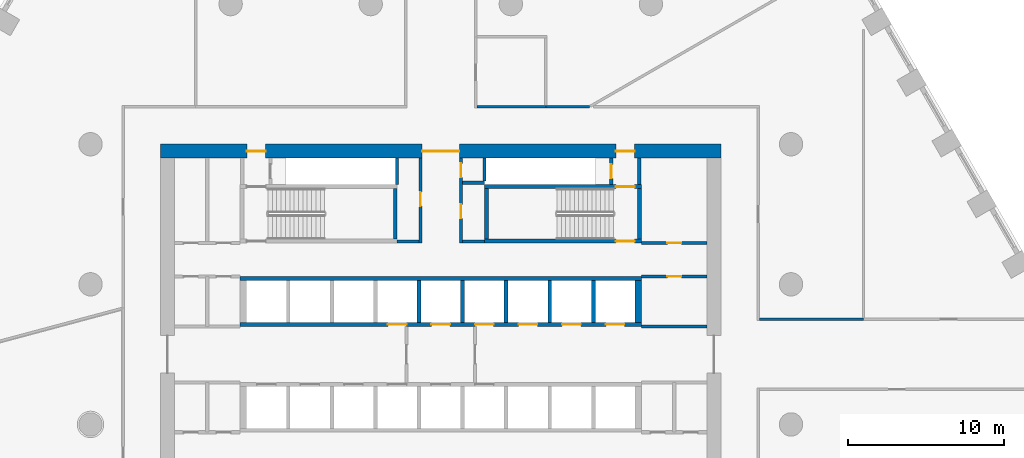
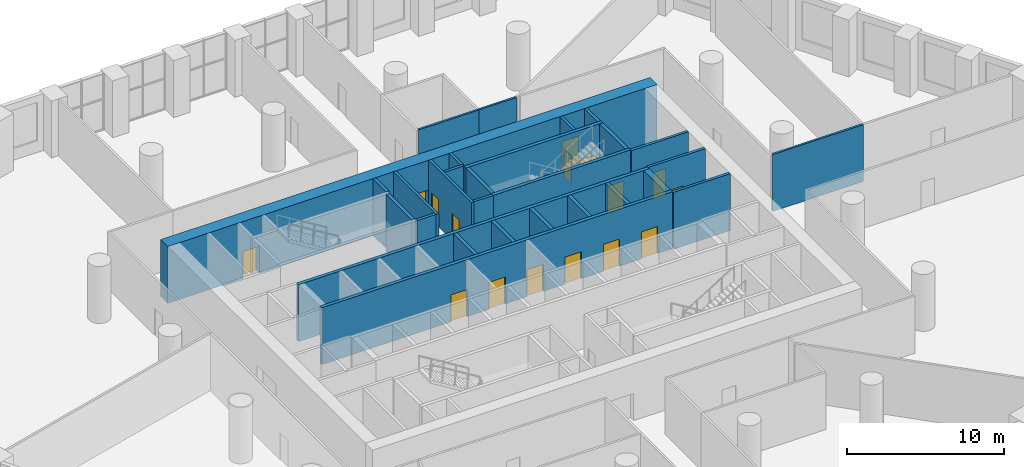
# One storey, part 9 of 13: 29 walls, 17 doors, 17 openings.
"""IFC4 building model written with IfcOpenShell, lengths in metres."""

from ifc_helpers import new_model, si_unit, direction, frame, frame_2d, origin, place, context, subcontext, project, spatial, polyline, rectangle, outline, extrude, material, layer, layer_set, type_object, element, fill, save


model = new_model("IFC4")

# Units and contexts
model_context = context("Model", 3, precision=1e-05, world=origin(), true_north=direction((0.0, 1.0)))
body_context = subcontext(model_context, "Body", "Model", "MODEL_VIEW")
ifc_project = project(units=[si_unit("LENGTHUNIT", "METRE"), si_unit("AREAUNIT", "SQUARE_METRE"), si_unit("VOLUMEUNIT", "CUBIC_METRE"), si_unit("PLANEANGLEUNIT", "RADIAN"), si_unit("MASSUNIT", "GRAM", prefix="KILO")], contexts=[model_context])

# Site, building, storey
site_placement = place(None, origin())
site = spatial("IfcSite", under=ifc_project, at=site_placement, CompositionType="ELEMENT")
building_placement = place(site_placement, origin())
building = spatial("IfcBuilding", under=site, at=building_placement, Name="Dhurran Vertical Campus", CompositionType="ELEMENT")
storey_placement = place(building_placement, frame((0.0, 0.0, 25.199951171875)))
storey = spatial("IfcBuildingStorey", under=building, at=storey_placement, Name="L05", CompositionType="ELEMENT", Elevation=25.199951171875)

# Wall, openings, doors
ifc_material_1 = material(Name="Concrete C60/75", Category="concrete")
ifc_layer_1 = layer(ifc_material_1, 0.89990234375)
ifc_layer_set_1 = layer_set([ifc_layer_1], Name="Concrete C60/75")
wall_type_1 = type_object("IfcWallType", Name="co-CORE-WALL-C0-900", PredefinedType="SHEAR", material=ifc_layer_set_1)
wall_1_placement = place(storey_placement, frame((-18.0, 13.050048828125, 0.0), z_axis=(0.0, 0.0, 1.0), x_axis=(1.0, 0.0, 0.0)))
wall_1 = element("IfcWall", 1, at=wall_1_placement, inside=storey, type_object=wall_type_1, Name="Core wall N L05", PredefinedType="SHEAR", context=body_context, shape_type="SweptSolid", body=[
    extrude(rectangle(XDim=36.0, YDim=0.89990234375, at=frame_2d((18.0, 0.0))), origin(), (0.0, 0.0, 1.0), 4.425048828125),
])
opening_1_placement = place(wall_1_placement, frame((16.800048828125, 0.0, 0.0)))
opening_1 = element("IfcOpeningElement", 2, at=opening_1_placement, cuts=wall_1, Name="Opening CV1", PredefinedType="OPENING", context=body_context, shape_type="SweptSolid", body=[
    extrude(rectangle(XDim=2.39990234375, YDim=2.10009765625, at=frame_2d((1.199951171875, 1.050048828125))), frame((0.0, 0.4599609375, 0.0), z_axis=(0.0, -1.0, 0.0), x_axis=(1.0, 0.0, 0.0)), (0.0, 0.0, 1.0), 0.919921875),
])
opening_2_placement = place(wall_1_placement, frame((5.550048828125, 0.0, 0.0)))
opening_2 = element("IfcOpeningElement", 3, at=opening_2_placement, cuts=wall_1, Name="Opening XD1", PredefinedType="OPENING", context=body_context, shape_type="SweptSolid", body=[
    extrude(rectangle(XDim=1.199951171875, YDim=2.10009765625, at=frame_2d((0.60009765625, 1.050048828125))), frame((0.0, 0.4599609375, 0.0), z_axis=(0.0, -1.0, 0.0), x_axis=(1.0, 0.0, 0.0)), (0.0, 0.0, 1.0), 0.919921875),
])
opening_3_placement = place(wall_1_placement, frame((29.25, 0.0, 0.0)))
opening_3 = element("IfcOpeningElement", 4, at=opening_3_placement, cuts=wall_1, Name="Opening XD2", PredefinedType="OPENING", context=body_context, shape_type="SweptSolid", body=[
    extrude(rectangle(XDim=1.199951171875, YDim=2.10009765625, at=frame_2d((0.60009765625, 1.050048828125))), frame((0.0, 0.4599609375, 0.0), z_axis=(0.0, -1.0, 0.0), x_axis=(1.0, 0.0, 0.0)), (0.0, 0.0, 1.0), 0.919921875),
])
ifc_material_2 = material(Name="Fire-rated glazed door set")
door_type_1 = type_object("IfcDoorType", Name="co-D-LOBBY 2400x2100", OperationType="DOUBLE_DOOR_DOUBLE_SWING", PredefinedType="DOOR", material=ifc_material_2)
door_1_placement = place(opening_1_placement, origin())
door_1 = element("IfcDoor", 5, at=door_1_placement, inside=storey, type_object=door_type_1, Name="Core vestibule door N L05", OperationType="DOUBLE_DOOR_DOUBLE_SWING", OverallHeight=2.10009765625, OverallWidth=2.39990234375, PredefinedType="DOOR", context=body_context, shape_type="SweptSolid", body=[
    extrude(rectangle(XDim=2.39990234375, YDim=2.10009765625, at=frame_2d((1.199951171875, 1.050048828125))), frame((0.0, 0.02490234375, 0.0), z_axis=(0.0, -1.0, 0.0), x_axis=(1.0, 0.0, 0.0)), (0.0, 0.0, 1.0), 0.050048828125),
])
fill(opening_1, door_1)
ifc_material_3 = material(Name="Fire-rated steel door set", Category="steel")
door_type_2 = type_object("IfcDoorType", Name="co-D-STAIR-EXIT 1200x2100", OperationType="SINGLE_SWING_RIGHT", PredefinedType="DOOR", material=ifc_material_3)
door_2_placement = place(opening_2_placement, origin())
door_2 = element("IfcDoor", 6, at=door_2_placement, inside=storey, type_object=door_type_2, Name="Stair ST1 exit door L05", OperationType="SINGLE_SWING_RIGHT", OverallHeight=2.10009765625, OverallWidth=1.199951171875, PredefinedType="DOOR", context=body_context, shape_type="SweptSolid", body=[
    extrude(rectangle(XDim=1.199951171875, YDim=2.10009765625, at=frame_2d((0.60009765625, 1.050048828125))), frame((0.0, 0.02490234375, 0.0), z_axis=(0.0, -1.0, 0.0), x_axis=(1.0, 0.0, 0.0)), (0.0, 0.0, 1.0), 0.050048828125),
])
fill(opening_2, door_2)
door_3_placement = place(opening_3_placement, origin())
door_3 = element("IfcDoor", 7, at=door_3_placement, inside=storey, type_object=door_type_2, Name="Stair ST2 exit door L05", OperationType="SINGLE_SWING_RIGHT", OverallHeight=2.10009765625, OverallWidth=1.199951171875, PredefinedType="DOOR", context=body_context, shape_type="SweptSolid", body=[
    extrude(rectangle(XDim=1.199951171875, YDim=2.10009765625, at=frame_2d((0.60009765625, 1.050048828125))), frame((0.0, 0.02490234375, 0.0), z_axis=(0.0, -1.0, 0.0), x_axis=(1.0, 0.0, 0.0)), (0.0, 0.0, 1.0), 0.050048828125),
])
fill(opening_3, door_3)

# Walls
ifc_material_4 = material(Name="Fire-rated masonry blockwork", Category="masonry")
ifc_layer_2 = layer(ifc_material_4, 0.199951171875)
ifc_layer_set_2 = layer_set([ifc_layer_2], Name="Fire-rated masonry blockwork")
wall_type_2 = type_object("IfcWallType", Name="co-FIRE-PARTITION-200", PredefinedType="PARTITIONING", material=ifc_layer_set_2)
for number, where, z_axis, x_axis, name in (
    (8, (-2.800048828125, 7.25, 0.0), (0.0, 0.0, 1.0), (1.0, 0.0, 0.0), "Core partition sl-NW-S L05"),
    (9, (1.39990234375, 7.25, 0.0), (0.0, 0.0, 1.0), (1.0, 0.0, 0.0), "Core partition sl-NE-S L05"),
    (10, (1.39990234375, 11.02490234375, 0.0), (0.0, 0.0, 1.0), (1.0, 0.0, 0.0), "Core partition sl-NE-cut0 L05"),
):
    element("IfcWall", number, at=place(storey_placement, frame(where, z_axis=z_axis, x_axis=x_axis)), inside=storey, type_object=wall_type_2, Name=name, PredefinedType="PARTITIONING", context=body_context, shape_type="SweptSolid", body=[
        extrude(rectangle(XDim=1.400146484375, YDim=0.199951171875, at=frame_2d((0.7001953125, 0.0))), origin(), (0.0, 0.0, 1.0), 4.425048828125),
    ])

# Wall, opening, door
wall_2_placement = place(storey_placement, frame((-1.300048828125, 7.14990234375, 0.0), z_axis=(0.0, 0.0, 1.0), x_axis=(0.0, 1.0, 0.0)))
wall_2 = element("IfcWall", 11, at=wall_2_placement, inside=storey, type_object=wall_type_2, Name="Core partition vest-NW L05", PredefinedType="PARTITIONING", context=body_context, shape_type="SweptSolid", body=[
    extrude(rectangle(XDim=5.4501953125, YDim=0.199951171875, at=frame_2d((2.72509765625, 0.0))), origin(), (0.0, 0.0, 1.0), 4.425048828125),
])
opening_4_placement = place(wall_2_placement, frame((2.375, 0.0, 0.0)))
opening_4 = element("IfcOpeningElement", 12, at=opening_4_placement, cuts=wall_2, Name="Opening PD05-C5", PredefinedType="OPENING", context=body_context, shape_type="SweptSolid", body=[
    extrude(rectangle(XDim=0.89990234375, YDim=2.10009765625, at=frame_2d((0.449951171875, 1.050048828125))), frame((0.0, 0.10986328125, 0.0), z_axis=(0.0, -1.0, 0.0), x_axis=(1.0, 0.0, 0.0)), (0.0, 0.0, 1.0), 0.219970703125),
])
ifc_material_5 = material(Name="Fire-rated timber door set", Category="wood")
door_type_3 = type_object("IfcDoorType", Name="co-D-ROOM 900x2100", OperationType="SINGLE_SWING_LEFT", PredefinedType="DOOR", material=ifc_material_5)
door_4_placement = place(opening_4_placement, origin())
door_4 = element("IfcDoor", 13, at=door_4_placement, inside=storey, type_object=door_type_3, Name="Cleaner's store door L05", OperationType="SINGLE_SWING_LEFT", OverallHeight=2.10009765625, OverallWidth=0.89990234375, PredefinedType="DOOR", context=body_context, shape_type="SweptSolid", body=[
    extrude(rectangle(XDim=0.89990234375, YDim=2.10009765625, at=frame_2d((0.449951171875, 1.050048828125))), frame((0.0, 0.02490234375, 0.0), z_axis=(0.0, -1.0, 0.0), x_axis=(1.0, 0.0, 0.0)), (0.0, 0.0, 1.0), 0.050048828125),
])
fill(opening_4, door_4)

# Wall, openings, doors
wall_3_placement = place(storey_placement, frame((1.300048828125, 7.14990234375, 0.0), z_axis=(0.0, 0.0, 1.0), x_axis=(0.0, 1.0, 0.0)))
wall_3 = element("IfcWall", 14, at=wall_3_placement, inside=storey, type_object=wall_type_2, Name="Core partition vest-NE L05", PredefinedType="PARTITIONING", context=body_context, shape_type="SweptSolid", body=[
    extrude(rectangle(XDim=5.4501953125, YDim=0.199951171875, at=frame_2d((2.72509765625, 0.0))), origin(), (0.0, 0.0, 1.0), 4.425048828125),
])
opening_5_placement = place(wall_3_placement, frame((1.58740234375, 0.0, 0.0)))
opening_5 = element("IfcOpeningElement", 15, at=opening_5_placement, cuts=wall_3, Name="Opening PD05-C6", PredefinedType="OPENING", context=body_context, shape_type="SweptSolid", body=[
    extrude(rectangle(XDim=0.89990234375, YDim=2.10009765625, at=frame_2d((0.449951171875, 1.050048828125))), frame((0.0, 0.10986328125, 0.0), z_axis=(0.0, -1.0, 0.0), x_axis=(1.0, 0.0, 0.0)), (0.0, 0.0, 1.0), 0.219970703125),
])
opening_6_placement = place(wall_3_placement, frame((4.21240234375, 0.0, 0.0)))
opening_6 = element("IfcOpeningElement", 16, at=opening_6_placement, cuts=wall_3, Name="Opening PD05-C7", PredefinedType="OPENING", context=body_context, shape_type="SweptSolid", body=[
    extrude(rectangle(XDim=0.89990234375, YDim=2.10009765625, at=frame_2d((0.449951171875, 1.050048828125))), frame((0.0, 0.10986328125, 0.0), z_axis=(0.0, -1.0, 0.0), x_axis=(1.0, 0.0, 0.0)), (0.0, 0.0, 1.0), 0.219970703125),
])
door_5_placement = place(opening_5_placement, origin())
door_5 = element("IfcDoor", 17, at=door_5_placement, inside=storey, type_object=door_type_3, Name="Water riser door L05", OperationType="SINGLE_SWING_LEFT", OverallHeight=2.10009765625, OverallWidth=0.89990234375, PredefinedType="DOOR", context=body_context, shape_type="SweptSolid", body=[
    extrude(rectangle(XDim=0.89990234375, YDim=2.10009765625, at=frame_2d((0.449951171875, 1.050048828125))), frame((0.0, 0.02490234375, 0.0), z_axis=(0.0, -1.0, 0.0), x_axis=(1.0, 0.0, 0.0)), (0.0, 0.0, 1.0), 0.050048828125),
])
fill(opening_5, door_5)
door_6_placement = place(opening_6_placement, origin())
door_6 = element("IfcDoor", 18, at=door_6_placement, inside=storey, type_object=door_type_3, Name="Communications room door L05", OperationType="SINGLE_SWING_LEFT", OverallHeight=2.10009765625, OverallWidth=0.89990234375, PredefinedType="DOOR", context=body_context, shape_type="SweptSolid", body=[
    extrude(rectangle(XDim=0.89990234375, YDim=2.10009765625, at=frame_2d((0.449951171875, 1.050048828125))), frame((0.0, 0.02490234375, 0.0), z_axis=(0.0, -1.0, 0.0), x_axis=(1.0, 0.0, 0.0)), (0.0, 0.0, 1.0), 0.050048828125),
])
fill(opening_6, door_6)

# Wall
wall_4_placement = place(storey_placement, frame((12.75, 10.89990234375, 0.0), z_axis=(0.0, 0.0, 1.0), x_axis=(0.0, 1.0, 0.0)))
element("IfcWall", 19, at=wall_4_placement, inside=storey, type_object=wall_type_2, Name="Core partition pass-ST2-o L05", PredefinedType="PARTITIONING", context=body_context, shape_type="SweptSolid", body=[
    extrude(rectangle(XDim=1.7001953125, YDim=0.199951171875, at=frame_2d((0.85009765625, 0.0))), origin(), (0.0, 0.0, 1.0), 4.425048828125),
])

# Wall, opening, door
wall_5_placement = place(storey_placement, frame((10.949951171875, 10.89990234375, 0.0), z_axis=(0.0, 0.0, 1.0), x_axis=(0.0, 1.0, 0.0)))
wall_5 = element("IfcWall", 20, at=wall_5_placement, inside=storey, type_object=wall_type_2, Name="Core partition pass-ST2-i L05", PredefinedType="PARTITIONING", context=body_context, shape_type="SweptSolid", body=[
    extrude(rectangle(XDim=1.7001953125, YDim=0.199951171875, at=frame_2d((0.85009765625, 0.0))), origin(), (0.0, 0.0, 1.0), 4.425048828125),
])
opening_7_placement = place(wall_5_placement, frame((0.39990234375, 0.0, 0.0)))
opening_7 = element("IfcOpeningElement", 21, at=opening_7_placement, cuts=wall_5, Name="Opening PD05-C9", PredefinedType="OPENING", context=body_context, shape_type="SweptSolid", body=[
    extrude(rectangle(XDim=0.89990234375, YDim=2.10009765625, at=frame_2d((0.449951171875, 1.050048828125))), frame((0.0, 0.10986328125, 0.0), z_axis=(0.0, -1.0, 0.0), x_axis=(1.0, 0.0, 0.0)), (0.0, 0.0, 1.0), 0.219970703125),
])
door_7_placement = place(opening_7_placement, origin())
door_7 = element("IfcDoor", 22, at=door_7_placement, inside=storey, type_object=door_type_3, Name="Riser room door L05", OperationType="SINGLE_SWING_LEFT", OverallHeight=2.10009765625, OverallWidth=0.89990234375, PredefinedType="DOOR", context=body_context, shape_type="SweptSolid", body=[
    extrude(rectangle(XDim=0.89990234375, YDim=2.10009765625, at=frame_2d((0.449951171875, 1.050048828125))), frame((0.0, 0.02490234375, 0.0), z_axis=(0.0, -1.0, 0.0), x_axis=(1.0, 0.0, 0.0)), (0.0, 0.0, 1.0), 0.050048828125),
])
fill(opening_7, door_7)

wall_6_placement = place(storey_placement, frame((12.89990234375, 7.14990234375, 0.0), z_axis=(0.0, 0.0, 1.0), x_axis=(1.0, 0.0, 0.0)))
wall_6 = element("IfcWall", 23, at=wall_6_placement, inside=storey, type_object=wall_type_2, Name="Core partition en-NE-w L05", PredefinedType="PARTITIONING", context=body_context, shape_type="SweptSolid", body=[
    extrude(rectangle(XDim=4.2001953125, YDim=0.199951171875, at=frame_2d((2.10009765625, 0.0))), origin(), (0.0, 0.0, 1.0), 4.425048828125),
])
opening_8_placement = place(wall_6_placement, frame((1.64990234375, 0.0, 0.0)))
opening_8 = element("IfcOpeningElement", 24, at=opening_8_placement, cuts=wall_6, Name="Opening PD05-C16", PredefinedType="OPENING", context=body_context, shape_type="SweptSolid", body=[
    extrude(rectangle(XDim=0.89990234375, YDim=2.10009765625, at=frame_2d((0.449951171875, 1.050048828125))), frame((0.0, 0.10986328125, 0.0), z_axis=(0.0, -1.0, 0.0), x_axis=(1.0, 0.0, 0.0)), (0.0, 0.0, 1.0), 0.219970703125),
])
door_8_placement = place(opening_8_placement, origin())
door_8 = element("IfcDoor", 25, at=door_8_placement, inside=storey, type_object=door_type_3, Name="Fire equipment store door L05", OperationType="SINGLE_SWING_LEFT", OverallHeight=2.10009765625, OverallWidth=0.89990234375, PredefinedType="DOOR", context=body_context, shape_type="SweptSolid", body=[
    extrude(rectangle(XDim=0.89990234375, YDim=2.10009765625, at=frame_2d((0.449951171875, 1.050048828125))), frame((0.0, 0.02490234375, 0.0), z_axis=(0.0, -1.0, 0.0), x_axis=(1.0, 0.0, 0.0)), (0.0, 0.0, 1.0), 0.050048828125),
])
fill(opening_8, door_8)

wall_7_placement = place(storey_placement, frame((12.89990234375, 5.0, 0.0), z_axis=(0.0, 0.0, 1.0), x_axis=(1.0, 0.0, 0.0)))
wall_7 = element("IfcWall", 26, at=wall_7_placement, inside=storey, type_object=wall_type_2, Name="Core partition es-NE-w L05", PredefinedType="PARTITIONING", context=body_context, shape_type="SweptSolid", body=[
    extrude(rectangle(XDim=4.2001953125, YDim=0.199951171875, at=frame_2d((2.10009765625, 0.0))), origin(), (0.0, 0.0, 1.0), 4.425048828125),
])
opening_9_placement = place(wall_7_placement, frame((1.64990234375, 0.0, 0.0)))
opening_9 = element("IfcOpeningElement", 27, at=opening_9_placement, cuts=wall_7, Name="Opening PD05-C17", PredefinedType="OPENING", context=body_context, shape_type="SweptSolid", body=[
    extrude(rectangle(XDim=0.89990234375, YDim=2.10009765625, at=frame_2d((0.449951171875, 1.050048828125))), frame((0.0, 0.10986328125, 0.0), z_axis=(0.0, -1.0, 0.0), x_axis=(1.0, 0.0, 0.0)), (0.0, 0.0, 1.0), 0.219970703125),
])
door_9_placement = place(opening_9_placement, origin())
door_9 = element("IfcDoor", 28, at=door_9_placement, inside=storey, type_object=door_type_3, Name="Print room door L05", OperationType="SINGLE_SWING_LEFT", OverallHeight=2.10009765625, OverallWidth=0.89990234375, PredefinedType="DOOR", context=body_context, shape_type="SweptSolid", body=[
    extrude(rectangle(XDim=0.89990234375, YDim=2.10009765625, at=frame_2d((0.449951171875, 1.050048828125))), frame((0.0, 0.02490234375, 0.0), z_axis=(0.0, -1.0, 0.0), x_axis=(1.0, 0.0, 0.0)), (0.0, 0.0, 1.0), 0.050048828125),
])
fill(opening_9, door_9)

# Walls
wall_8_placement = place(storey_placement, frame((12.89990234375, 1.800048828125, 0.0), z_axis=(0.0, 0.0, 1.0), x_axis=(1.0, 0.0, 0.0)))
element("IfcWall", 29, at=wall_8_placement, inside=storey, type_object=wall_type_2, Name="Core partition es-NE-l L05", PredefinedType="PARTITIONING", context=body_context, shape_type="SweptSolid", body=[
    extrude(rectangle(XDim=4.2001953125, YDim=0.199951171875, at=frame_2d((2.10009765625, 0.0))), origin(), (0.0, 0.0, 1.0), 4.425048828125),
])
wall_9_placement = place(storey_placement, frame((-2.800048828125, 10.90087890625, 0.0), z_axis=(0.0, 0.0, 1.0), x_axis=(0.0, 1.0, 0.0)))
element("IfcWall", 30, at=wall_9_placement, inside=storey, type_object=wall_type_2, Name="Riser enclosure wall L05", PredefinedType="PARTITIONING", context=body_context, shape_type="SweptSolid", body=[
    extrude(rectangle(XDim=1.6982421875, YDim=0.199951171875, at=frame_2d((0.84912109375, 0.0))), origin(), (0.0, 0.0, 1.0), 4.425048828125),
])
wall_10_placement = place(storey_placement, frame((2.800048828125, 12.59912109375, 0.0), z_axis=(0.0, 0.0, 1.0), x_axis=(0.0, -1.0, 0.0)))
element("IfcWall", 31, at=wall_10_placement, inside=storey, type_object=wall_type_2, Name="Riser enclosure wall L05", PredefinedType="PARTITIONING", context=body_context, shape_type="SweptSolid", body=[
    extrude(rectangle(XDim=1.47314453125, YDim=0.199951171875, at=frame_2d((0.736572265625, 0.0))), origin(), (0.0, 0.0, 1.0), 4.425048828125),
])

# Wall, openings, doors
ifc_material_6 = material(Name="Concrete C50/60", Category="concrete")
ifc_layer_3 = layer(ifc_material_6, 0.25)
ifc_layer_set_3 = layer_set([ifc_layer_3], Name="Concrete C50/60")
wall_type_3 = type_object("IfcWallType", Name="co-SHAFT-FRONT-250", PredefinedType="SHEAR", material=ifc_layer_set_3)
wall_11_placement = place(storey_placement, frame((-12.89990234375, 1.925048828125, 0.0), z_axis=(0.0, 0.0, 1.0), x_axis=(1.0, 0.0, 0.0)))
wall_11 = element("IfcWall", 32, at=wall_11_placement, inside=storey, type_object=wall_type_3, Name="Lift landing wall N L05", PredefinedType="SHEAR", context=body_context, shape_type="SweptSolid", body=[
    extrude(rectangle(XDim=25.7998046875, YDim=0.25, at=frame_2d((12.89990234375, 0.0))), origin(), (0.0, 0.0, 1.0), 4.425048828125),
])
opening_10_placement = place(wall_11_placement, frame((9.5, 0.0, 0.0)))
opening_10 = element("IfcOpeningElement", 33, at=opening_10_placement, cuts=wall_11, Name="Opening LD", PredefinedType="OPENING", context=body_context, shape_type="SweptSolid", body=[
    extrude(rectangle(XDim=1.199951171875, YDim=2.10009765625, at=frame_2d((0.60009765625, 1.050048828125))), frame((0.0, 0.135009765625, 0.0), z_axis=(0.0, -1.0, 0.0), x_axis=(1.0, 0.0, 0.0)), (0.0, 0.0, 1.0), 0.27001953125),
])
opening_11_placement = place(wall_11_placement, frame((12.300048828125, 0.0, 0.0)))
opening_11 = element("IfcOpeningElement", 34, at=opening_11_placement, cuts=wall_11, Name="Opening LD", PredefinedType="OPENING", context=body_context, shape_type="SweptSolid", body=[
    extrude(rectangle(XDim=1.199951171875, YDim=2.10009765625, at=frame_2d((0.60009765625, 1.050048828125))), frame((0.0, 0.135009765625, 0.0), z_axis=(0.0, -1.0, 0.0), x_axis=(1.0, 0.0, 0.0)), (0.0, 0.0, 1.0), 0.27001953125),
])
opening_12_placement = place(wall_11_placement, frame((15.10009765625, 0.0, 0.0)))
opening_12 = element("IfcOpeningElement", 35, at=opening_12_placement, cuts=wall_11, Name="Opening LD", PredefinedType="OPENING", context=body_context, shape_type="SweptSolid", body=[
    extrude(rectangle(XDim=1.199951171875, YDim=2.10009765625, at=frame_2d((0.60009765625, 1.050048828125))), frame((0.0, 0.135009765625, 0.0), z_axis=(0.0, -1.0, 0.0), x_axis=(1.0, 0.0, 0.0)), (0.0, 0.0, 1.0), 0.27001953125),
])
opening_13_placement = place(wall_11_placement, frame((17.89990234375, 0.0, 0.0)))
opening_13 = element("IfcOpeningElement", 36, at=opening_13_placement, cuts=wall_11, Name="Opening LD", PredefinedType="OPENING", context=body_context, shape_type="SweptSolid", body=[
    extrude(rectangle(XDim=1.199951171875, YDim=2.10009765625, at=frame_2d((0.60009765625, 1.050048828125))), frame((0.0, 0.135009765625, 0.0), z_axis=(0.0, -1.0, 0.0), x_axis=(1.0, 0.0, 0.0)), (0.0, 0.0, 1.0), 0.27001953125),
])
opening_14_placement = place(wall_11_placement, frame((20.699951171875, 0.0, 0.0)))
opening_14 = element("IfcOpeningElement", 37, at=opening_14_placement, cuts=wall_11, Name="Opening LD", PredefinedType="OPENING", context=body_context, shape_type="SweptSolid", body=[
    extrude(rectangle(XDim=1.199951171875, YDim=2.10009765625, at=frame_2d((0.60009765625, 1.050048828125))), frame((0.0, 0.135009765625, 0.0), z_axis=(0.0, -1.0, 0.0), x_axis=(1.0, 0.0, 0.0)), (0.0, 0.0, 1.0), 0.27001953125),
])
opening_15_placement = place(wall_11_placement, frame((23.5, 0.0, 0.0)))
opening_15 = element("IfcOpeningElement", 38, at=opening_15_placement, cuts=wall_11, Name="Opening LD", PredefinedType="OPENING", context=body_context, shape_type="SweptSolid", body=[
    extrude(rectangle(XDim=1.199951171875, YDim=2.10009765625, at=frame_2d((0.60009765625, 1.050048828125))), frame((0.0, 0.135009765625, 0.0), z_axis=(0.0, -1.0, 0.0), x_axis=(1.0, 0.0, 0.0)), (0.0, 0.0, 1.0), 0.27001953125),
])
ifc_material_7 = material(Name="Stainless steel landing door", Category="steel")
door_type_4 = type_object("IfcDoorType", Name="co-D-LANDING 1200x2100", OperationType="DOUBLE_DOOR_SLIDING", PredefinedType="DOOR", material=ifc_material_7)
door_10_placement = place(opening_10_placement, origin())
door_10 = element("IfcDoor", 39, at=door_10_placement, inside=storey, type_object=door_type_4, Name="Landing door LR1 L05", OperationType="DOUBLE_DOOR_SLIDING", OverallHeight=2.10009765625, OverallWidth=1.199951171875, PredefinedType="DOOR", context=body_context, shape_type="SweptSolid", body=[
    extrude(rectangle(XDim=1.199951171875, YDim=2.10009765625, at=frame_2d((0.60009765625, 1.050048828125))), frame((0.0, 0.02490234375, 0.0), z_axis=(0.0, -1.0, 0.0), x_axis=(1.0, 0.0, 0.0)), (0.0, 0.0, 1.0), 0.050048828125),
])
fill(opening_10, door_10)
door_11_placement = place(opening_11_placement, origin())
door_11 = element("IfcDoor", 40, at=door_11_placement, inside=storey, type_object=door_type_4, Name="Landing door FF1 L05", OperationType="DOUBLE_DOOR_SLIDING", OverallHeight=2.10009765625, OverallWidth=1.199951171875, PredefinedType="DOOR", context=body_context, shape_type="SweptSolid", body=[
    extrude(rectangle(XDim=1.199951171875, YDim=2.10009765625, at=frame_2d((0.60009765625, 1.050048828125))), frame((0.0, 0.02490234375, 0.0), z_axis=(0.0, -1.0, 0.0), x_axis=(1.0, 0.0, 0.0)), (0.0, 0.0, 1.0), 0.050048828125),
])
fill(opening_11, door_11)
door_12_placement = place(opening_12_placement, origin())
door_12 = element("IfcDoor", 41, at=door_12_placement, inside=storey, type_object=door_type_4, Name="Landing door LR2 L05", OperationType="DOUBLE_DOOR_SLIDING", OverallHeight=2.10009765625, OverallWidth=1.199951171875, PredefinedType="DOOR", context=body_context, shape_type="SweptSolid", body=[
    extrude(rectangle(XDim=1.199951171875, YDim=2.10009765625, at=frame_2d((0.60009765625, 1.050048828125))), frame((0.0, 0.02490234375, 0.0), z_axis=(0.0, -1.0, 0.0), x_axis=(1.0, 0.0, 0.0)), (0.0, 0.0, 1.0), 0.050048828125),
])
fill(opening_12, door_12)
door_13_placement = place(opening_13_placement, origin())
door_13 = element("IfcDoor", 42, at=door_13_placement, inside=storey, type_object=door_type_4, Name="Landing door LR3 L05", OperationType="DOUBLE_DOOR_SLIDING", OverallHeight=2.10009765625, OverallWidth=1.199951171875, PredefinedType="DOOR", context=body_context, shape_type="SweptSolid", body=[
    extrude(rectangle(XDim=1.199951171875, YDim=2.10009765625, at=frame_2d((0.60009765625, 1.050048828125))), frame((0.0, 0.02490234375, 0.0), z_axis=(0.0, -1.0, 0.0), x_axis=(1.0, 0.0, 0.0)), (0.0, 0.0, 1.0), 0.050048828125),
])
fill(opening_13, door_13)
door_14_placement = place(opening_14_placement, origin())
door_14 = element("IfcDoor", 43, at=door_14_placement, inside=storey, type_object=door_type_4, Name="Landing door LR4 L05", OperationType="DOUBLE_DOOR_SLIDING", OverallHeight=2.10009765625, OverallWidth=1.199951171875, PredefinedType="DOOR", context=body_context, shape_type="SweptSolid", body=[
    extrude(rectangle(XDim=1.199951171875, YDim=2.10009765625, at=frame_2d((0.60009765625, 1.050048828125))), frame((0.0, 0.02490234375, 0.0), z_axis=(0.0, -1.0, 0.0), x_axis=(1.0, 0.0, 0.0)), (0.0, 0.0, 1.0), 0.050048828125),
])
fill(opening_14, door_14)
door_15_placement = place(opening_15_placement, origin())
door_15 = element("IfcDoor", 44, at=door_15_placement, inside=storey, type_object=door_type_4, Name="Landing door SV2 L05", OperationType="DOUBLE_DOOR_SLIDING", OverallHeight=2.10009765625, OverallWidth=1.199951171875, PredefinedType="DOOR", context=body_context, shape_type="SweptSolid", body=[
    extrude(rectangle(XDim=1.199951171875, YDim=2.10009765625, at=frame_2d((0.60009765625, 1.050048828125))), frame((0.0, 0.02490234375, 0.0), z_axis=(0.0, -1.0, 0.0), x_axis=(1.0, 0.0, 0.0)), (0.0, 0.0, 1.0), 0.050048828125),
])
fill(opening_15, door_15)

# Walls
ifc_material_8 = material(Name="Concrete C50/60", Category="concrete")
ifc_layer_4 = layer(ifc_material_8, 0.25)
ifc_layer_set_4 = layer_set([ifc_layer_4], Name="Concrete C50/60")
wall_type_4 = type_object("IfcWallType", Name="co-SHAFT-MASS-250", PredefinedType="SHEAR", material=ifc_layer_set_4)
wall_12_placement = place(storey_placement, origin())
element("IfcWall", 45, at=wall_12_placement, inside=storey, type_object=wall_type_4, Name="Lift shaft wall N L05 1", PredefinedType="SHEAR", context=body_context, shape_type="SweptSolid", body=[
    extrude(outline(polyline([(-12.89990234375, 4.75), (12.89990234375, 4.75), (12.89990234375, 5.0), (-12.89990234375, 5.0), (-12.89990234375, 4.75)])), origin(), (0.0, 0.0, 1.0), 4.425048828125),
])
wall_13_placement = place(storey_placement, origin())
element("IfcWall", 46, at=wall_13_placement, inside=storey, type_object=wall_type_4, Name="Lift shaft wall N L05 6", PredefinedType="SHEAR", context=body_context, shape_type="SweptSolid", body=[
    extrude(outline(polyline([(-1.52490234375, 2.050048828125), (-1.27490234375, 2.050048828125), (-1.27490234375, 4.75), (-1.52490234375, 4.75), (-1.52490234375, 2.050048828125)])), origin(), (0.0, 0.0, 1.0), 4.425048828125),
])
wall_14_placement = place(storey_placement, origin())
element("IfcWall", 47, at=wall_14_placement, inside=storey, type_object=wall_type_4, Name="Lift shaft wall N L05 7", PredefinedType="SHEAR", context=body_context, shape_type="SweptSolid", body=[
    extrude(outline(polyline([(1.27490234375, 2.050048828125), (1.52490234375, 2.050048828125), (1.52490234375, 4.75), (1.27490234375, 4.75), (1.27490234375, 2.050048828125)])), origin(), (0.0, 0.0, 1.0), 4.425048828125),
])
wall_15_placement = place(storey_placement, origin())
element("IfcWall", 48, at=wall_15_placement, inside=storey, type_object=wall_type_4, Name="Lift shaft wall N L05 8", PredefinedType="SHEAR", context=body_context, shape_type="SweptSolid", body=[
    extrude(outline(polyline([(4.074951171875, 2.050048828125), (4.324951171875, 2.050048828125), (4.324951171875, 4.75), (4.074951171875, 4.75), (4.074951171875, 2.050048828125)])), origin(), (0.0, 0.0, 1.0), 4.425048828125),
])
wall_16_placement = place(storey_placement, origin())
element("IfcWall", 49, at=wall_16_placement, inside=storey, type_object=wall_type_4, Name="Lift shaft wall N L05 9", PredefinedType="SHEAR", context=body_context, shape_type="SweptSolid", body=[
    extrude(outline(polyline([(6.875, 2.050048828125), (7.125, 2.050048828125), (7.125, 4.75), (6.875, 4.75), (6.875, 2.050048828125)])), origin(), (0.0, 0.0, 1.0), 4.425048828125),
])
wall_17_placement = place(storey_placement, origin())
element("IfcWall", 50, at=wall_17_placement, inside=storey, type_object=wall_type_4, Name="Lift shaft wall N L05 10", PredefinedType="SHEAR", context=body_context, shape_type="SweptSolid", body=[
    extrude(outline(polyline([(9.675048828125, 2.050048828125), (9.925048828125, 2.050048828125), (9.925048828125, 4.75), (9.675048828125, 4.75), (9.675048828125, 2.050048828125)])), origin(), (0.0, 0.0, 1.0), 4.425048828125),
])
wall_18_placement = place(storey_placement, origin())
element("IfcWall", 51, at=wall_18_placement, inside=storey, type_object=wall_type_4, Name="Lift shaft wall N L05 11", PredefinedType="SHEAR", context=body_context, shape_type="SweptSolid", body=[
    extrude(outline(polyline([(12.47509765625, 2.050048828125), (12.89990234375, 2.050048828125), (12.89990234375, 4.75), (12.47509765625, 4.75), (12.47509765625, 2.050048828125)])), origin(), (0.0, 0.0, 1.0), 4.425048828125),
])
ifc_material_9 = material(Name="Concrete C40/50", Category="concrete")
ifc_layer_5 = layer(ifc_material_9, 0.25)
ifc_layer_set_5 = layer_set([ifc_layer_5], Name="Concrete C40/50")
wall_type_5 = type_object("IfcWallType", Name="co-STAIR-WALL-250", PredefinedType="SHEAR", material=ifc_layer_set_5)
wall_19_placement = place(storey_placement, frame((-2.925048828125, 7.39990234375, 0.0), z_axis=(0.0, 0.0, 1.0), x_axis=(0.0, 1.0, 0.0)))
element("IfcWall", 52, at=wall_19_placement, inside=storey, type_object=wall_type_5, Name="Stair ST1 enclosure wall L05", PredefinedType="SHEAR", context=body_context, shape_type="SweptSolid", body=[
    extrude(rectangle(XDim=3.25, YDim=0.25, at=frame_2d((1.625, 0.0))), origin(), (0.0, 0.0, 1.0), 4.425048828125),
])

# Wall, opening, door
wall_20_placement = place(storey_placement, frame((2.800048828125, 7.27490234375, 0.0), z_axis=(0.0, 0.0, 1.0), x_axis=(1.0, 0.0, 0.0)))
wall_20 = element("IfcWall", 53, at=wall_20_placement, inside=storey, type_object=wall_type_5, Name="Stair ST2 enclosure wall L05", PredefinedType="SHEAR", context=body_context, shape_type="SweptSolid", body=[
    extrude(rectangle(XDim=10.099853515625, YDim=0.25, at=frame_2d((5.0498046875, 0.0))), origin(), (0.0, 0.0, 1.0), 4.425048828125),
])
opening_16_placement = place(wall_20_placement, frame((8.449951171875, 0.0, 0.0)))
opening_16 = element("IfcOpeningElement", 54, at=opening_16_placement, cuts=wall_20, Name="Opening SD2", PredefinedType="OPENING", context=body_context, shape_type="SweptSolid", body=[
    extrude(rectangle(XDim=1.199951171875, YDim=2.10009765625, at=frame_2d((0.60009765625, 1.050048828125))), frame((0.0, 0.135009765625, 0.0), z_axis=(0.0, -1.0, 0.0), x_axis=(1.0, 0.0, 0.0)), (0.0, 0.0, 1.0), 0.27001953125),
])
ifc_material_10 = material(Name="Fire-rated steel door set", Category="steel")
door_type_5 = type_object("IfcDoorType", Name="co-D-STAIR 1200x2100", OperationType="SINGLE_SWING_LEFT", PredefinedType="DOOR", material=ifc_material_10)
door_16_placement = place(opening_16_placement, origin())
door_16 = element("IfcDoor", 55, at=door_16_placement, inside=storey, type_object=door_type_5, Name="Stair ST2 door L05", OperationType="SINGLE_SWING_LEFT", OverallHeight=2.10009765625, OverallWidth=1.199951171875, PredefinedType="DOOR", context=body_context, shape_type="SweptSolid", body=[
    extrude(rectangle(XDim=1.199951171875, YDim=2.10009765625, at=frame_2d((0.60009765625, 1.050048828125))), frame((0.0, 0.02490234375, 0.0), z_axis=(0.0, -1.0, 0.0), x_axis=(1.0, 0.0, 0.0)), (0.0, 0.0, 1.0), 0.050048828125),
])
fill(opening_16, door_16)

wall_21_placement = place(storey_placement, frame((2.800048828125, 10.77490234375, 0.0), z_axis=(0.0, 0.0, 1.0), x_axis=(1.0, 0.0, 0.0)))
wall_21 = element("IfcWall", 56, at=wall_21_placement, inside=storey, type_object=wall_type_5, Name="Stair ST2 enclosure wall L05", PredefinedType="SHEAR", context=body_context, shape_type="SweptSolid", body=[
    extrude(rectangle(XDim=10.099853515625, YDim=0.25, at=frame_2d((5.0498046875, 0.0))), origin(), (0.0, 0.0, 1.0), 4.425048828125),
])
opening_17_placement = place(wall_21_placement, frame((8.449951171875, 0.0, 0.0)))
opening_17 = element("IfcOpeningElement", 57, at=opening_17_placement, cuts=wall_21, Name="Opening XS2", PredefinedType="OPENING", context=body_context, shape_type="SweptSolid", body=[
    extrude(rectangle(XDim=1.199951171875, YDim=2.10009765625, at=frame_2d((0.60009765625, 1.050048828125))), frame((0.0, 0.135009765625, 0.0), z_axis=(0.0, -1.0, 0.0), x_axis=(1.0, 0.0, 0.0)), (0.0, 0.0, 1.0), 0.27001953125),
])
door_17_placement = place(opening_17_placement, origin())
door_17 = element("IfcDoor", 58, at=door_17_placement, inside=storey, type_object=door_type_2, Name="Stair ST2 discharge door L05", OperationType="SINGLE_SWING_RIGHT", OverallHeight=2.10009765625, OverallWidth=1.199951171875, PredefinedType="DOOR", context=body_context, shape_type="SweptSolid", body=[
    extrude(rectangle(XDim=1.199951171875, YDim=2.10009765625, at=frame_2d((0.60009765625, 1.050048828125))), frame((0.0, 0.02490234375, 0.0), z_axis=(0.0, -1.0, 0.0), x_axis=(1.0, 0.0, 0.0)), (0.0, 0.0, 1.0), 0.050048828125),
])
fill(opening_17, door_17)

# Walls
for number, where, z_axis, x_axis, name in (
    (59, (2.925048828125, 7.39990234375, 0.0), (0.0, 0.0, 1.0), (0.0, 1.0, 0.0), "Stair ST2 enclosure wall L05"),
    (60, (12.77490234375, 7.39990234375, 0.0), (0.0, 0.0, 1.0), (0.0, 1.0, 0.0), "Stair ST2 enclosure wall L05"),
):
    element("IfcWall", number, at=place(storey_placement, frame(where, z_axis=z_axis, x_axis=x_axis)), inside=storey, type_object=wall_type_5, Name=name, PredefinedType="SHEAR", context=body_context, shape_type="SweptSolid", body=[
        extrude(rectangle(XDim=3.25, YDim=0.25, at=frame_2d((1.625, 0.0))), origin(), (0.0, 0.0, 1.0), 4.425048828125),
    ])
ifc_material_11 = material(Name="Gypsum board corridor wall on steel studs", Category="steel")
ifc_layer_6 = layer(ifc_material_11, 0.14990234375)
ifc_layer_set_6 = layer_set([ifc_layer_6], Name="Gypsum board corridor wall on steel studs")
wall_type_6 = type_object("IfcWallType", Name="fl-CW-150 corridor wall", PredefinedType="PARTITIONING", material=ifc_layer_set_6)
wall_22_placement = place(storey_placement, frame((6.75, 15.89990234375, 0.0), z_axis=(0.0, 0.0, 1.0), x_axis=(-1.0, 0.0, 0.0)))
element("IfcWall", 61, at=wall_22_placement, inside=storey, type_object=wall_type_6, Name="Partition 05-22", PredefinedType="PARTITIONING", context=body_context, shape_type="SweptSolid", body=[
    extrude(rectangle(XDim=4.425048828125, YDim=0.14990234375, at=frame_2d((2.21240234375, 0.0))), origin(), (0.0, 0.0, 1.0), 4.425048828125),
])
wall_23_placement = place(storey_placement, frame((9.5400390625, 15.89990234375, 0.0), z_axis=(0.0, 0.0, 1.0), x_axis=(-1.0, 0.0, 0.0)))
element("IfcWall", 62, at=wall_23_placement, inside=storey, type_object=wall_type_6, Name="Partition 05-26", PredefinedType="PARTITIONING", context=body_context, shape_type="SweptSolid", body=[
    extrude(rectangle(XDim=2.7900390625, YDim=0.14990234375, at=frame_2d((1.39501953125, 0.0))), origin(), (0.0, 0.0, 1.0), 4.425048828125),
])
wall_24_placement = place(storey_placement, frame((20.47509765625, 2.25, 0.0), z_axis=(0.0, 0.0, 1.0), x_axis=(1.0, 0.0, 0.0)))
element("IfcWall", 63, at=wall_24_placement, inside=storey, type_object=wall_type_6, Name="Partition 05-36", PredefinedType="PARTITIONING", context=body_context, shape_type="SweptSolid", body=[
    extrude(rectangle(XDim=6.6748046875, YDim=0.14990234375, at=frame_2d((3.33740234375, 0.0))), origin(), (0.0, 0.0, 1.0), 4.425048828125),
])

save(model, "model.ifc")
